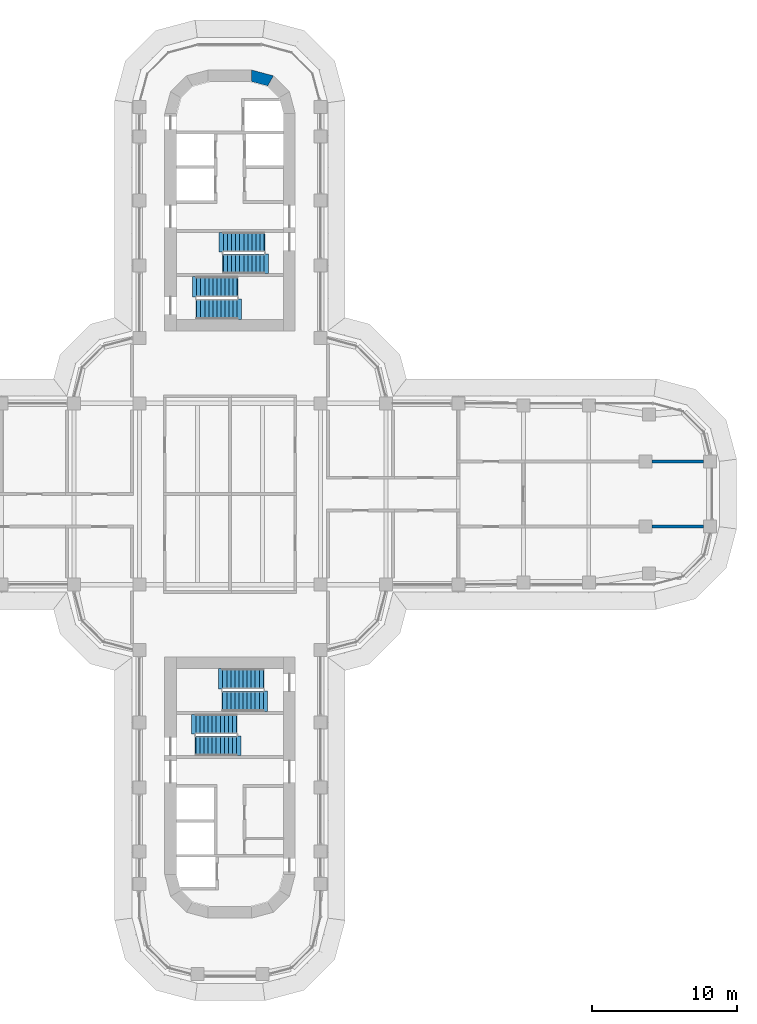
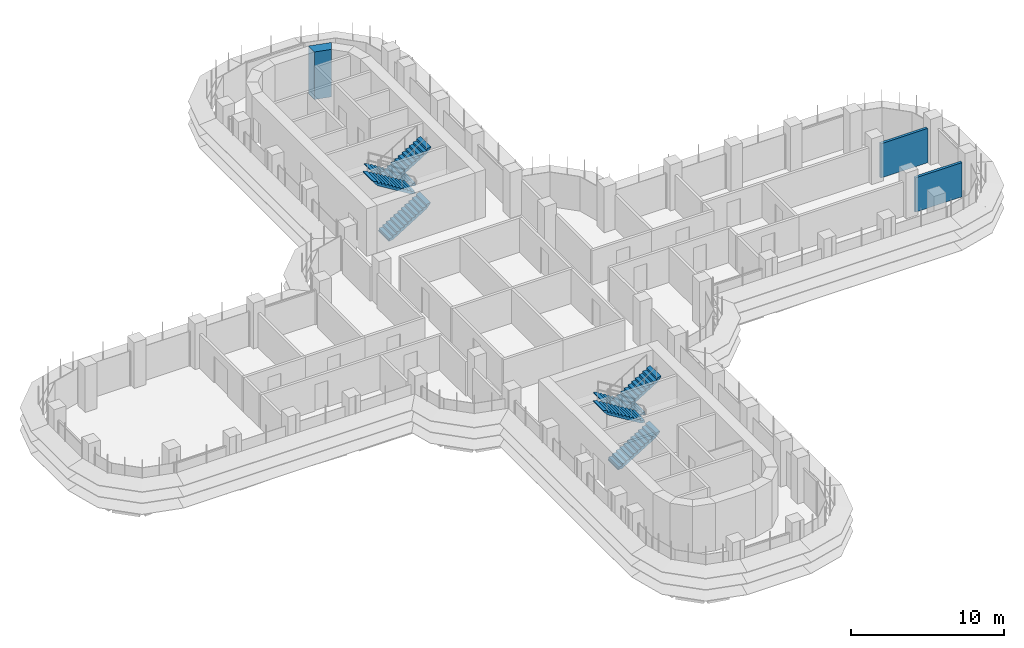
# One storey, part 18 of 22: 8 stair flights, 3 walls, 4 elements without a shape of their own.
"""IFC4 building model written with IfcOpenShell, lengths in metres."""

import ifcopenshell
import ifcopenshell.guid

model = None  # the IFC model being written
_history = None  # IfcOwnerHistory: only IFC2X3 demands one
_inside = {}  # id of a spatial element -> (the spatial element, [elements in it])
_under = {}  # id of a project, library or spatial element -> (it, [spatial elements below it])
_declared = {}  # id of a project -> (the project, [libraries it declares])
_typed = {}  # id of a type object -> (the type object, [elements of that type])
_made_of = {}  # id of a material, layer set ... -> (it, [elements and type objects made of it])


def new_model(schema):
    """Start an empty IFC model of exactly this schema.

    Asked for "IFC4X3", IfcOpenShell would pick the latest addendum, in which some entities
    have other attributes; the version numbers below select the first issue.
    IFC2X3 requires an IfcOwnerHistory on every rooted entity: one is made here for all.
    """
    global model, _history
    if schema == "IFC4X3":
        model = ifcopenshell.file(schema_version=(4, 3, 0, 0))
    else:
        model = ifcopenshell.file(schema=schema)
    _inside.clear()
    _under.clear()
    _declared.clear()
    _typed.clear()
    _made_of.clear()
    _history = None
    if model.schema == "IFC2X3":
        org = make("IfcOrganization", Name="unknown")
        user = make(
            "IfcPersonAndOrganization",
            ThePerson=make("IfcPerson", FamilyName="unknown"),
            TheOrganization=org,
        )
        app = make(
            "IfcApplication",
            ApplicationDeveloper=org,
            Version="unknown",
            ApplicationFullName="unknown",
            ApplicationIdentifier="unknown",
        )
        _history = make(
            "IfcOwnerHistory",
            OwningUser=user,
            OwningApplication=app,
            ChangeAction="ADDED",
            CreationDate=0,
        )
    return model


def make(cls, **values):
    """One entity of the class cls with the attributes given. An attribute that is None is left unset."""
    return model.create_entity(
        cls, **{name: value for name, value in values.items() if value is not None}
    )


def rooted(cls, **values):
    """An entity with a GlobalId (a new one), such as an element, a storey or a relation."""
    return make(cls, GlobalId=ifcopenshell.guid.new(), OwnerHistory=_history, **values)


def si_unit(unit_type, name, prefix=None):
    """IfcSIUnit, for example si_unit("LENGTHUNIT", "METRE", prefix="MILLI")."""
    return make("IfcSIUnit", UnitType=unit_type, Prefix=prefix, Name=name)


def assignment(units):
    """IfcUnitAssignment: the units of a project."""
    return None if units is None else make("IfcUnitAssignment", Units=units)


def point(xyz):
    """IfcCartesianPoint."""
    return None if xyz is None else make("IfcCartesianPoint", Coordinates=xyz)


def direction(xyz):
    """IfcDirection."""
    return None if xyz is None else make("IfcDirection", DirectionRatios=xyz)


def frame(location, z_axis=None, x_axis=None):
    """IfcAxis2Placement3D, a coordinate frame: its origin and axes. An axis left out is left unset."""
    return make(
        "IfcAxis2Placement3D",
        Location=point(location),
        Axis=direction(z_axis),
        RefDirection=direction(x_axis),
    )


def frame_2d(location, x_axis=None):
    """IfcAxis2Placement2D, a coordinate frame in the plane: its origin and x axis."""
    return make(
        "IfcAxis2Placement2D", Location=point(location), RefDirection=direction(x_axis)
    )


def origin():
    """The frame at (0, 0, 0) with its axes left unset."""
    return frame((0.0, 0.0, 0.0))


def place(relative_to, where):
    """IfcLocalPlacement: puts the frame where relative to a parent placement (None: the world)."""
    return make(
        "IfcLocalPlacement", PlacementRelTo=relative_to, RelativePlacement=where
    )


def context(
    kind, dimensions, precision=None, world=None, true_north=None, identifier=None
):
    """IfcGeometricRepresentationContext, for example the 3D "Model" context."""
    return make(
        "IfcGeometricRepresentationContext",
        ContextIdentifier=identifier,
        ContextType=kind,
        CoordinateSpaceDimension=dimensions,
        Precision=precision,
        WorldCoordinateSystem=world,
        TrueNorth=true_north,
    )


def subcontext(parent, identifier, kind, view, scale=None):
    """IfcGeometricRepresentationSubContext, for example "Body" below "Model"."""
    return make(
        "IfcGeometricRepresentationSubContext",
        ContextIdentifier=identifier,
        ContextType=kind,
        ParentContext=parent,
        TargetScale=scale,
        TargetView=view,
    )


def project(units=None, contexts=None):
    """IfcProject with its units and contexts."""
    return rooted(
        "IfcProject",
        Name="project",
        RepresentationContexts=contexts,
        UnitsInContext=assignment(units),
    )


def spatial(cls, under=None, at=None, **own):
    """A site, building, storey or space (cls), placed at a placement, below another one or the project."""
    s = rooted(cls, ObjectPlacement=at, **own)
    if under is not None:
        _under.setdefault(under.id(), (under, []))[1].append(s)
    return s


def polyline(points):
    """IfcPolyline through the points."""
    return make("IfcPolyline", Points=[point(p) for p in points])


def profile(cls, at=None, kind="AREA", **sizes):
    """A parametric profile (cls). Its sizes go by their IFC names, for example OverallWidth=200.0."""
    return make(cls, ProfileType=kind, Position=at, **sizes)


def rectangle(**sizes):
    """IfcRectangleProfileDef."""
    return profile("IfcRectangleProfileDef", **sizes)


def outline(outer, holes=None, kind="AREA"):
    """IfcArbitraryClosedProfileDef: a profile drawn as a closed curve; with holes, ...WithVoids."""
    if holes is None:
        return make("IfcArbitraryClosedProfileDef", ProfileType=kind, OuterCurve=outer)
    return make(
        "IfcArbitraryProfileDefWithVoids",
        ProfileType=kind,
        OuterCurve=outer,
        InnerCurves=holes,
    )


def extrude(swept, where, along, depth):
    """IfcExtrudedAreaSolid: the profile swept, set in the frame where, extruded along a direction by depth."""
    return make(
        "IfcExtrudedAreaSolid",
        SweptArea=swept,
        Position=where,
        ExtrudedDirection=direction(along),
        Depth=depth,
    )


def shape(context_of_items, identifier, shape_type, items):
    """IfcShapeRepresentation: the items that make up one representation, for example the "Body"."""
    return make(
        "IfcShapeRepresentation",
        ContextOfItems=context_of_items,
        RepresentationIdentifier=identifier,
        RepresentationType=shape_type,
        Items=items,
    )


def material(Name=None, Category=None):
    """IfcMaterial."""
    return make("IfcMaterial", Name=Name, Category=Category)


def layer(
    of_material, thickness, ventilated=None, Name=None, Category=None, Priority=None
):
    """IfcMaterialLayer: one layer of a wall or slab, of a material (None: an air gap)."""
    return make(
        "IfcMaterialLayer",
        Material=of_material,
        LayerThickness=thickness,
        IsVentilated=ventilated,
        Name=Name,
        Category=Category,
        Priority=Priority,
    )


def layer_set(layers, Name=None):
    """IfcMaterialLayerSet."""
    return make("IfcMaterialLayerSet", MaterialLayers=layers, LayerSetName=Name)


def made_of(thing, what):
    """Note that an element or type object is made of a material, layer set ...; save() writes the relation."""
    if what is not None:
        _made_of.setdefault(what.id(), (what, []))[1].append(thing)
    return thing


def type_object(cls, material=None, **own):
    """A type object (cls), such as IfcWallType, which elements share."""
    return made_of(rooted(cls, **own), material)


def element(
    cls,
    number,
    at=None,
    inside=None,
    cuts=None,
    type_object=None,
    material=None,
    context=None,
    identifier="Body",
    shape_type=None,
    held_by="IfcProductDefinitionShape",
    body=None,
    shapes=None,
    **own,
):
    """One element of the class cls, such as IfcWall. Its Tag is "e" and its number.

    at: its placement. inside: the storey or other place that contains it. cuts: it is an
    opening in that element (IfcRelVoidsElement). A single representation is given by context,
    identifier, shape_type and body (its items); several are given by shapes. held_by: the class
    of the entity that holds the representations. save() writes the other relations.
    """
    e = rooted(cls, Tag="e%d" % number, ObjectPlacement=at, **own)
    if body is not None:
        shapes = [shape(context, identifier, shape_type, body)]
    if shapes is not None:
        e.Representation = make(held_by, Representations=shapes)
    if inside is not None:
        _inside.setdefault(inside.id(), (inside, []))[1].append(e)
    if cuts is not None:
        rooted(
            "IfcRelVoidsElement", RelatingBuildingElement=cuts, RelatedOpeningElement=e
        )
    if type_object is not None:
        _typed.setdefault(type_object.id(), (type_object, []))[1].append(e)
    return made_of(e, material)


def aggregate(whole, parts):
    """IfcRelAggregates: a whole, such as a stair, and the parts it consists of."""
    return rooted("IfcRelAggregates", RelatingObject=whole, RelatedObjects=parts)


def save(model, path):
    """Write the relations noted so far, then the file.

    IfcRelAggregates (storeys below a building ...), IfcRelContainedInSpatialStructure (elements
    in a storey), IfcRelDefinesByType, IfcRelAssociatesMaterial and IfcRelDeclares: one each for
    every whole, place, type object, material and project.
    """
    for whole, parts in _under.values():
        aggregate(whole, parts)
    for where, things in _inside.values():
        rooted(
            "IfcRelContainedInSpatialStructure",
            RelatedElements=things,
            RelatingStructure=where,
        )
    for kind, things in _typed.values():
        rooted("IfcRelDefinesByType", RelatedObjects=things, RelatingType=kind)
    for what, things in _made_of.values():
        rooted("IfcRelAssociatesMaterial", RelatedObjects=things, RelatingMaterial=what)
    for by, libraries in _declared.values():
        rooted("IfcRelDeclares", RelatingContext=by, RelatedDefinitions=libraries)
    model.write(path)


model = new_model("IFC4")

# Units and contexts
model_context = context("Model", 3, precision=1e-05, world=origin(), true_north=direction((0.0, 1.0)))
body_context = subcontext(model_context, "Body", "Model", "MODEL_VIEW")
ifc_project = project(units=[si_unit("LENGTHUNIT", "METRE"), si_unit("AREAUNIT", "SQUARE_METRE"), si_unit("VOLUMEUNIT", "CUBIC_METRE"), si_unit("PLANEANGLEUNIT", "RADIAN"), si_unit("MASSUNIT", "GRAM", prefix="KILO")], contexts=[model_context])

# Site, building, storey
site_placement = place(None, origin())
site = spatial("IfcSite", under=ifc_project, at=site_placement, CompositionType="ELEMENT")
building_placement = place(site_placement, origin())
building = spatial("IfcBuilding", under=site, at=building_placement, Name="Zarbagh Exchange Tower", CompositionType="ELEMENT")
storey_placement = place(building_placement, frame((0.0, 0.0, 109.39990234375)))
storey = spatial("IfcBuildingStorey", under=building, at=storey_placement, Name="L25", CompositionType="ELEMENT", Elevation=109.39990234375)

# Walls
ifc_material_1 = material(Name="Fire-rated plasterboard partition")
ifc_layer_1 = layer(ifc_material_1, 0.199951171875)
ifc_layer_set_1 = layer_set([ifc_layer_1], Name="RATED PARTITION 200")
wall_type_1 = type_object("IfcWallType", Name="RATED PARTITION 200", PredefinedType="PARTITIONING", material=ifc_layer_set_1)
for number, where, z_axis, x_axis, name in (
    (1, (29.1201171875, 2.25, 0.0), (0.0, 0.0, 1.0), (1.0, 0.0, 0.0), "Partition W-935"),
    (2, (29.1201171875, -2.25, 0.0), (0.0, 0.0, 1.0), (1.0, 0.0, 0.0), "Partition W-937"),
):
    element("IfcWall", number, at=place(storey_placement, frame(where, z_axis=z_axis, x_axis=x_axis)), inside=storey, type_object=wall_type_1, Name=name, PredefinedType="PARTITIONING", context=body_context, shape_type="SweptSolid", body=[
        extrude(rectangle(XDim=3.539794921875, YDim=0.199951171875, at=frame_2d((1.77001953125, 0.0))), origin(), (0.0, 0.0, 1.0), 2.73828125),
    ])
ifc_material_2 = material(Name="Concrete C60/75", Category="concrete")
ifc_layer_2 = layer(ifc_material_2, 0.800048828125)
ifc_layer_set_2 = layer_set([ifc_layer_2], Name="RC core corner wall 800 C60/75")
wall_type_2 = type_object("IfcWallType", Name="RC core corner wall 800 C60/75", PredefinedType="SHEAR", material=ifc_layer_set_2)
wall_placement = place(storey_placement, origin())
element("IfcWall", 3, at=wall_placement, inside=storey, type_object=wall_type_2, Name="CW4 core N corner E", PredefinedType="SHEAR", context=body_context, shape_type="SweptSolid", body=[
    extrude(outline(polyline([(3.0, 28.84814453125), (1.5, 29.25), (1.5, 28.449951171875), (2.60009765625, 28.1552734375), (3.0, 28.84814453125)])), origin(), (0.0, 0.0, 1.0), 3.800048828125),
])

# Stair, stair flights
ifc_material_3 = material(Name="Concrete C40/50", Category="concrete")
stair_type = type_object("IfcStairType", Name="Exit stair two-flight half-turn", PredefinedType="HALF_TURN_STAIR", material=ifc_material_3)
stair_1_placement = place(storey_placement, origin())
stair_1 = element("IfcStair", 4, at=stair_1_placement, inside=storey, type_object=stair_type, Name="exit stair ST1", PredefinedType="HALF_TURN_STAIR")
stair_flight_type_1 = type_object("IfcStairFlightType", Name="Stair flight 1350 mm", PredefinedType="STRAIGHT", material=ifc_material_3)
stair_flight_1_placement = place(storey_placement, frame((2.35009765625, 17.375, 0.0), z_axis=(0.0, 0.0, 1.0), x_axis=(-1.0, 0.0, 0.0)))
stair_flight_1 = element("IfcStairFlight", 5, at=stair_flight_1_placement, type_object=stair_flight_type_1, Name="ST1 flight 1", NumberOfRisers=11, NumberOfTreads=10, PredefinedType="STRAIGHT", RiserHeight=0.172727273, TreadLength=0.28, context=body_context, shape_type="SweptSolid", body=[
    extrude(outline(polyline([(-0.050048828125, -0.050048828125), (-0.050048828125, 0.0), (0.0, 0.0), (0.0, 0.172607421875), (0.280029296875, 0.172607421875), (0.280029296875, 0.345458984375), (0.56005859375, 0.345458984375), (0.56005859375, 0.51806640625), (0.840087890625, 0.51806640625), (0.840087890625, 0.69091796875), (1.1201171875, 0.69091796875), (1.1201171875, 0.863525390625), (1.39990234375, 0.863525390625), (1.39990234375, 1.036376953125), (1.679931640625, 1.036376953125), (1.679931640625, 1.208984375), (1.9599609375, 1.208984375), (1.9599609375, 1.3818359375), (2.239990234375, 1.3818359375), (2.239990234375, 1.554443359375), (2.52001953125, 1.554443359375), (2.52001953125, 1.727294921875), (2.800048828125, 1.727294921875), (2.800048828125, 1.89990234375), (3.10009765625, 1.97998046875), (3.10009765625, 1.89990234375), (2.800048828125, 1.551025390625), (0.285400390625, 0.0), (-0.050048828125, -0.050048828125)])), frame((0.0, 0.675048828125, 0.0), z_axis=(0.0, -1.0, 0.0), x_axis=(1.0, 0.0, 0.0)), (0.0, 0.0, 1.0), 1.35009765625),
])
stair_flight_2_placement = place(storey_placement, frame((-0.449951171875, 15.875, 1.900146484375), z_axis=(0.0, 0.0, 1.0), x_axis=(1.0, 0.0, 0.0)))
stair_flight_2 = element("IfcStairFlight", 6, at=stair_flight_2_placement, type_object=stair_flight_type_1, Name="ST1 flight 2", NumberOfRisers=11, NumberOfTreads=10, PredefinedType="STRAIGHT", RiserHeight=0.172727273, TreadLength=0.28, context=body_context, shape_type="SweptSolid", body=[
    extrude(outline(polyline([(-0.050048828125, -0.050048828125), (-0.050048828125, 0.0), (0.0, 0.0), (0.0, 0.172607421875), (0.280029296875, 0.172607421875), (0.280029296875, 0.345458984375), (0.56005859375, 0.345458984375), (0.56005859375, 0.51806640625), (0.840087890625, 0.51806640625), (0.840087890625, 0.69091796875), (1.1201171875, 0.69091796875), (1.1201171875, 0.863525390625), (1.39990234375, 0.863525390625), (1.39990234375, 1.036376953125), (1.679931640625, 1.036376953125), (1.679931640625, 1.208984375), (1.9599609375, 1.208984375), (1.9599609375, 1.3818359375), (2.239990234375, 1.3818359375), (2.239990234375, 1.554443359375), (2.52001953125, 1.554443359375), (2.52001953125, 1.727294921875), (2.800048828125, 1.727294921875), (2.800048828125, 1.89990234375), (3.10009765625, 1.97998046875), (3.10009765625, 1.89990234375), (2.800048828125, 1.551025390625), (0.285400390625, 0.0), (-0.050048828125, -0.050048828125)])), frame((0.0, 0.675048828125, 0.0), z_axis=(0.0, -1.0, 0.0), x_axis=(1.0, 0.0, 0.0)), (0.0, 0.0, 1.0), 1.35009765625),
])
aggregate(stair_1, [stair_flight_1, stair_flight_2])

stair_2_placement = place(storey_placement, origin())
stair_2 = element("IfcStair", 7, at=stair_2_placement, inside=storey, type_object=stair_type, Name="exit stair ST3", PredefinedType="HALF_TURN_STAIR")
stair_flight_3_placement = place(storey_placement, frame((-2.35009765625, -17.375, 0.0), z_axis=(0.0, 0.0, 1.0), x_axis=(1.0, 0.0, 0.0)))
stair_flight_3 = element("IfcStairFlight", 8, at=stair_flight_3_placement, type_object=stair_flight_type_1, Name="ST3 flight 1", NumberOfRisers=11, NumberOfTreads=10, PredefinedType="STRAIGHT", RiserHeight=0.172727273, TreadLength=0.28, context=body_context, shape_type="SweptSolid", body=[
    extrude(outline(polyline([(-0.050048828125, -0.050048828125), (-0.050048828125, 0.0), (0.0, 0.0), (0.0, 0.172607421875), (0.280029296875, 0.172607421875), (0.280029296875, 0.345458984375), (0.56005859375, 0.345458984375), (0.56005859375, 0.51806640625), (0.840087890625, 0.51806640625), (0.840087890625, 0.69091796875), (1.1201171875, 0.69091796875), (1.1201171875, 0.863525390625), (1.39990234375, 0.863525390625), (1.39990234375, 1.036376953125), (1.679931640625, 1.036376953125), (1.679931640625, 1.208984375), (1.9599609375, 1.208984375), (1.9599609375, 1.3818359375), (2.239990234375, 1.3818359375), (2.239990234375, 1.554443359375), (2.52001953125, 1.554443359375), (2.52001953125, 1.727294921875), (2.800048828125, 1.727294921875), (2.800048828125, 1.89990234375), (3.10009765625, 1.97998046875), (3.10009765625, 1.89990234375), (2.800048828125, 1.551025390625), (0.285400390625, 0.0), (-0.050048828125, -0.050048828125)])), frame((0.0, 0.675048828125, 0.0), z_axis=(0.0, -1.0, 0.0), x_axis=(1.0, 0.0, 0.0)), (0.0, 0.0, 1.0), 1.35009765625),
])
stair_flight_4_placement = place(storey_placement, frame((0.449951171875, -15.875, 1.900146484375), z_axis=(0.0, 0.0, 1.0), x_axis=(-1.0, 0.0, 0.0)))
stair_flight_4 = element("IfcStairFlight", 9, at=stair_flight_4_placement, type_object=stair_flight_type_1, Name="ST3 flight 2", NumberOfRisers=11, NumberOfTreads=10, PredefinedType="STRAIGHT", RiserHeight=0.172727273, TreadLength=0.28, context=body_context, shape_type="SweptSolid", body=[
    extrude(outline(polyline([(-0.050048828125, -0.050048828125), (-0.050048828125, 0.0), (0.0, 0.0), (0.0, 0.172607421875), (0.280029296875, 0.172607421875), (0.280029296875, 0.345458984375), (0.56005859375, 0.345458984375), (0.56005859375, 0.51806640625), (0.840087890625, 0.51806640625), (0.840087890625, 0.69091796875), (1.1201171875, 0.69091796875), (1.1201171875, 0.863525390625), (1.39990234375, 0.863525390625), (1.39990234375, 1.036376953125), (1.679931640625, 1.036376953125), (1.679931640625, 1.208984375), (1.9599609375, 1.208984375), (1.9599609375, 1.3818359375), (2.239990234375, 1.3818359375), (2.239990234375, 1.554443359375), (2.52001953125, 1.554443359375), (2.52001953125, 1.727294921875), (2.800048828125, 1.727294921875), (2.800048828125, 1.89990234375), (3.10009765625, 1.97998046875), (3.10009765625, 1.89990234375), (2.800048828125, 1.551025390625), (0.285400390625, 0.0), (-0.050048828125, -0.050048828125)])), frame((0.0, 0.675048828125, 0.0), z_axis=(0.0, -1.0, 0.0), x_axis=(1.0, 0.0, 0.0)), (0.0, 0.0, 1.0), 1.35009765625),
])
aggregate(stair_2, [stair_flight_3, stair_flight_4])

stair_3_placement = place(storey_placement, origin())
stair_3 = element("IfcStair", 10, at=stair_3_placement, inside=storey, type_object=stair_type, Name="exit stair ST2", PredefinedType="HALF_TURN_STAIR")
stair_flight_type_2 = type_object("IfcStairFlightType", Name="Stair flight 1400 mm", PredefinedType="STRAIGHT", material=ifc_material_3)
stair_flight_5_placement = place(storey_placement, frame((-2.300048828125, 12.75, 0.0), z_axis=(0.0, 0.0, 1.0), x_axis=(1.0, 0.0, 0.0)))
stair_flight_5 = element("IfcStairFlight", 11, at=stair_flight_5_placement, type_object=stair_flight_type_2, Name="ST2 flight 1", NumberOfRisers=11, NumberOfTreads=10, PredefinedType="STRAIGHT", RiserHeight=0.172727273, TreadLength=0.28, context=body_context, shape_type="SweptSolid", body=[
    extrude(outline(polyline([(-0.050048828125, -0.050048828125), (-0.050048828125, 0.0), (0.0, 0.0), (0.0, 0.172607421875), (0.280029296875, 0.172607421875), (0.280029296875, 0.345458984375), (0.56005859375, 0.345458984375), (0.56005859375, 0.51806640625), (0.840087890625, 0.51806640625), (0.840087890625, 0.69091796875), (1.1201171875, 0.69091796875), (1.1201171875, 0.863525390625), (1.39990234375, 0.863525390625), (1.39990234375, 1.036376953125), (1.679931640625, 1.036376953125), (1.679931640625, 1.208984375), (1.9599609375, 1.208984375), (1.9599609375, 1.3818359375), (2.239990234375, 1.3818359375), (2.239990234375, 1.554443359375), (2.52001953125, 1.554443359375), (2.52001953125, 1.727294921875), (2.800048828125, 1.727294921875), (2.800048828125, 1.89990234375), (3.10009765625, 1.97998046875), (3.10009765625, 1.89990234375), (2.800048828125, 1.551025390625), (0.285400390625, 0.0), (-0.050048828125, -0.050048828125)])), frame((0.0, 0.699951171875, 0.0), z_axis=(0.0, -1.0, 0.0), x_axis=(1.0, 0.0, 0.0)), (0.0, 0.0, 1.0), 1.39990234375),
])
stair_flight_6_placement = place(storey_placement, frame((0.5, 14.300048828125, 1.900146484375), z_axis=(0.0, 0.0, 1.0), x_axis=(-1.0, 0.0, 0.0)))
stair_flight_6 = element("IfcStairFlight", 12, at=stair_flight_6_placement, type_object=stair_flight_type_2, Name="ST2 flight 2", NumberOfRisers=11, NumberOfTreads=10, PredefinedType="STRAIGHT", RiserHeight=0.172727273, TreadLength=0.28, context=body_context, shape_type="SweptSolid", body=[
    extrude(outline(polyline([(-0.050048828125, -0.050048828125), (-0.050048828125, 0.0), (0.0, 0.0), (0.0, 0.172607421875), (0.280029296875, 0.172607421875), (0.280029296875, 0.345458984375), (0.56005859375, 0.345458984375), (0.56005859375, 0.51806640625), (0.840087890625, 0.51806640625), (0.840087890625, 0.69091796875), (1.1201171875, 0.69091796875), (1.1201171875, 0.863525390625), (1.39990234375, 0.863525390625), (1.39990234375, 1.036376953125), (1.679931640625, 1.036376953125), (1.679931640625, 1.208984375), (1.9599609375, 1.208984375), (1.9599609375, 1.3818359375), (2.239990234375, 1.3818359375), (2.239990234375, 1.554443359375), (2.52001953125, 1.554443359375), (2.52001953125, 1.727294921875), (2.800048828125, 1.727294921875), (2.800048828125, 1.89990234375), (3.10009765625, 1.97998046875), (3.10009765625, 1.89990234375), (2.800048828125, 1.551025390625), (0.285400390625, 0.0), (-0.050048828125, -0.050048828125)])), frame((0.0, 0.699951171875, 0.0), z_axis=(0.0, -1.0, 0.0), x_axis=(1.0, 0.0, 0.0)), (0.0, 0.0, 1.0), 1.39990234375),
])
aggregate(stair_3, [stair_flight_5, stair_flight_6])

stair_4_placement = place(storey_placement, origin())
stair_4 = element("IfcStair", 13, at=stair_4_placement, inside=storey, type_object=stair_type, Name="exit stair ST4", PredefinedType="HALF_TURN_STAIR")
stair_flight_7_placement = place(storey_placement, frame((2.300048828125, -12.75, 0.0), z_axis=(0.0, 0.0, 1.0), x_axis=(-1.0, 0.0, 0.0)))
stair_flight_7 = element("IfcStairFlight", 14, at=stair_flight_7_placement, type_object=stair_flight_type_2, Name="ST4 flight 1", NumberOfRisers=11, NumberOfTreads=10, PredefinedType="STRAIGHT", RiserHeight=0.172727273, TreadLength=0.28, context=body_context, shape_type="SweptSolid", body=[
    extrude(outline(polyline([(-0.050048828125, -0.050048828125), (-0.050048828125, 0.0), (0.0, 0.0), (0.0, 0.172607421875), (0.280029296875, 0.172607421875), (0.280029296875, 0.345458984375), (0.56005859375, 0.345458984375), (0.56005859375, 0.51806640625), (0.840087890625, 0.51806640625), (0.840087890625, 0.69091796875), (1.1201171875, 0.69091796875), (1.1201171875, 0.863525390625), (1.39990234375, 0.863525390625), (1.39990234375, 1.036376953125), (1.679931640625, 1.036376953125), (1.679931640625, 1.208984375), (1.9599609375, 1.208984375), (1.9599609375, 1.3818359375), (2.239990234375, 1.3818359375), (2.239990234375, 1.554443359375), (2.52001953125, 1.554443359375), (2.52001953125, 1.727294921875), (2.800048828125, 1.727294921875), (2.800048828125, 1.89990234375), (3.10009765625, 1.97998046875), (3.10009765625, 1.89990234375), (2.800048828125, 1.551025390625), (0.285400390625, 0.0), (-0.050048828125, -0.050048828125)])), frame((0.0, 0.699951171875, 0.0), z_axis=(0.0, -1.0, 0.0), x_axis=(1.0, 0.0, 0.0)), (0.0, 0.0, 1.0), 1.39990234375),
])
stair_flight_8_placement = place(storey_placement, frame((-0.5, -14.300048828125, 1.900146484375), z_axis=(0.0, 0.0, 1.0), x_axis=(1.0, 0.0, 0.0)))
stair_flight_8 = element("IfcStairFlight", 15, at=stair_flight_8_placement, type_object=stair_flight_type_2, Name="ST4 flight 2", NumberOfRisers=11, NumberOfTreads=10, PredefinedType="STRAIGHT", RiserHeight=0.172727273, TreadLength=0.28, context=body_context, shape_type="SweptSolid", body=[
    extrude(outline(polyline([(-0.050048828125, -0.050048828125), (-0.050048828125, 0.0), (0.0, 0.0), (0.0, 0.172607421875), (0.280029296875, 0.172607421875), (0.280029296875, 0.345458984375), (0.56005859375, 0.345458984375), (0.56005859375, 0.51806640625), (0.840087890625, 0.51806640625), (0.840087890625, 0.69091796875), (1.1201171875, 0.69091796875), (1.1201171875, 0.863525390625), (1.39990234375, 0.863525390625), (1.39990234375, 1.036376953125), (1.679931640625, 1.036376953125), (1.679931640625, 1.208984375), (1.9599609375, 1.208984375), (1.9599609375, 1.3818359375), (2.239990234375, 1.3818359375), (2.239990234375, 1.554443359375), (2.52001953125, 1.554443359375), (2.52001953125, 1.727294921875), (2.800048828125, 1.727294921875), (2.800048828125, 1.89990234375), (3.10009765625, 1.97998046875), (3.10009765625, 1.89990234375), (2.800048828125, 1.551025390625), (0.285400390625, 0.0), (-0.050048828125, -0.050048828125)])), frame((0.0, 0.699951171875, 0.0), z_axis=(0.0, -1.0, 0.0), x_axis=(1.0, 0.0, 0.0)), (0.0, 0.0, 1.0), 1.39990234375),
])
aggregate(stair_4, [stair_flight_7, stair_flight_8])

save(model, "model.ifc")
